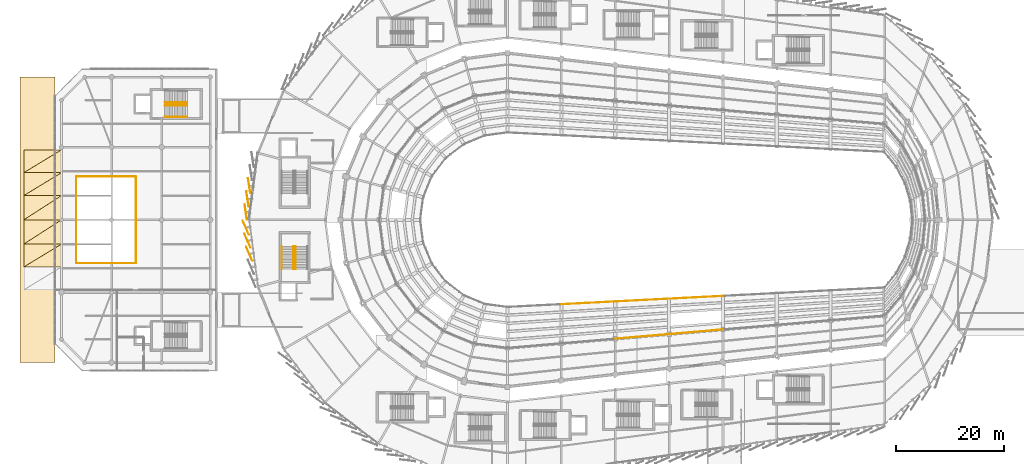
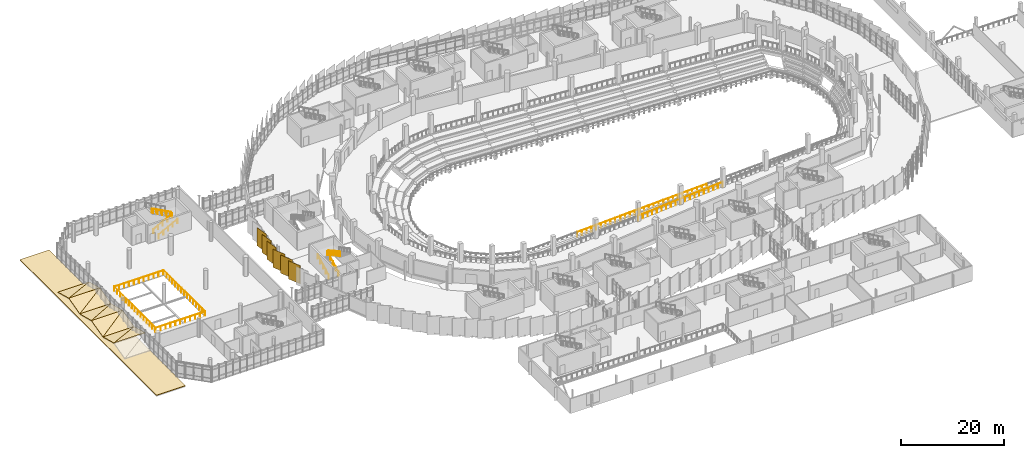
# One storey, part 126 of 134: 17 coverings, 17 railings.
"""IFC4 building model written with IfcOpenShell, lengths in metres."""

from ifc_helpers import new_model, si_unit, direction, frame, origin, origin_2d, place, context, subcontext, project, spatial, polyline, rectangle, circle, outline, extrude, material, layer, layer_set, type_object, element, save


model = new_model("IFC4")

# Units and contexts
model_context = context("Model", 3, precision=1e-05, world=origin(), true_north=direction((0.0, 1.0)))
body_context = subcontext(model_context, "Body", "Model", "MODEL_VIEW")
ifc_project = project(units=[si_unit("LENGTHUNIT", "METRE"), si_unit("AREAUNIT", "SQUARE_METRE"), si_unit("VOLUMEUNIT", "CUBIC_METRE"), si_unit("PLANEANGLEUNIT", "RADIAN"), si_unit("MASSUNIT", "GRAM", prefix="KILO")], contexts=[model_context])

# Site, building, storey
site_placement = place(None, origin())
site = spatial("IfcSite", under=ifc_project, at=site_placement, CompositionType="ELEMENT")
building_placement = place(site_placement, origin())
building = spatial("IfcBuilding", under=site, at=building_placement, Name="Sohan Crest Arena", CompositionType="ELEMENT")
storey_placement = place(building_placement, frame((0.0, 0.0, 4.5)))
storey = spatial("IfcBuildingStorey", under=building, at=storey_placement, Name="L01", CompositionType="ELEMENT", Elevation=4.5)

# Railings
ifc_material_1 = material(Name="Powder-coated wrought steel balustrade", Category="steel")
railing_type_1 = type_object("IfcRailingType", Name="ARC-GRD-01", PredefinedType="GUARDRAIL", material=ifc_material_1)
railing_1_placement = place(storey_placement, frame((58.5, 73.030029296875, 2.25)))
element("IfcRailing", 1, at=railing_1_placement, inside=storey, type_object=railing_type_1, Name="Stair well slot guard GRD-003", PredefinedType="GUARDRAIL", context=body_context, shape_type="SweptSolid", body=[
    extrude(circle(Radius=0.02392578125, at=origin_2d()), frame((0.0, 0.0, 1.076171875), z_axis=(0.0, -0.87313487534, 0.487478706678), x_axis=(1.0, 0.0, 0.0)), (0.0, 0.0, 1.0), 4.615478515625),
    extrude(circle(Radius=0.02099609375, at=origin_2d()), origin(), (0.0, 0.0, 1.0), 1.052001953125),
    extrude(circle(Radius=0.02099609375, at=origin_2d()), frame((0.0, -1.007568359375, 0.5625)), (0.0, 0.0, 1.0), 1.052001953125),
    extrude(circle(Radius=0.02099609375, at=origin_2d()), frame((0.0, -2.01513671875, 1.125)), (0.0, 0.0, 1.0), 1.052001953125),
    extrude(circle(Radius=0.02099609375, at=origin_2d()), frame((0.0, -3.0224609375, 1.6875)), (0.0, 0.0, 1.0), 1.052001953125),
    extrude(circle(Radius=0.02099609375, at=origin_2d()), frame((0.0, -4.030029296875, 2.25)), (0.0, 0.0, 1.0), 1.052001953125),
])
railing_2_placement = place(storey_placement, frame((38.530029296875, 99.5, 2.25)))
element("IfcRailing", 2, at=railing_2_placement, inside=storey, type_object=railing_type_1, Name="Stair well slot guard GRD-076", PredefinedType="GUARDRAIL", context=body_context, shape_type="SweptSolid", body=[
    extrude(circle(Radius=0.02392578125, at=origin_2d()), frame((0.0, 0.0, 1.076171875), z_axis=(-0.87313487534, 0.0, 0.487478706678), x_axis=(0.0, -1.0, 0.0)), (0.0, 0.0, 1.0), 4.615478515625),
    extrude(circle(Radius=0.02099609375, at=origin_2d()), origin(), (0.0, 0.0, 1.0), 1.052001953125),
    extrude(circle(Radius=0.02099609375, at=origin_2d()), frame((-1.007568359375, 0.0, 0.5625)), (0.0, 0.0, 1.0), 1.052001953125),
    extrude(circle(Radius=0.02099609375, at=origin_2d()), frame((-2.01513671875, 0.0, 1.125)), (0.0, 0.0, 1.0), 1.052001953125),
    extrude(circle(Radius=0.02099609375, at=origin_2d()), frame((-3.0224609375, 0.0, 1.6875)), (0.0, 0.0, 1.0), 1.052001953125),
    extrude(circle(Radius=0.02099609375, at=origin_2d()), frame((-4.030029296875, 0.0, 2.25)), (0.0, 0.0, 1.0), 1.052001953125),
])
railing_3_placement = place(storey_placement, frame((17.989990234375, 69.949951171875, 0.0)))
element("IfcRailing", 3, at=railing_3_placement, inside=storey, type_object=railing_type_1, Name="Foyer atrium balustrade GRD-286", PredefinedType="GUARDRAIL", context=body_context, shape_type="SweptSolid", body=[
    extrude(circle(Radius=0.02392578125, at=origin_2d()), frame((0.0, 0.0, 1.076171875), z_axis=(1.0, 0.0, 0.0), x_axis=(0.0, 1.0, 0.0)), (0.0, 0.0, 1.0), 11.02001953125),
    extrude(circle(Radius=0.02099609375, at=origin_2d()), origin(), (0.0, 0.0, 1.0), 1.052001953125),
    extrude(circle(Radius=0.02099609375, at=origin_2d()), frame((1.10205078125, 0.0, 0.0)), (0.0, 0.0, 1.0), 1.052001953125),
    extrude(circle(Radius=0.02099609375, at=origin_2d()), frame((2.2041015625, 0.0, 0.0)), (0.0, 0.0, 1.0), 1.052001953125),
    extrude(circle(Radius=0.02099609375, at=origin_2d()), frame((3.305908203125, 0.0, 0.0)), (0.0, 0.0, 1.0), 1.052001953125),
    extrude(circle(Radius=0.02099609375, at=origin_2d()), frame((4.407958984375, 0.0, 0.0)), (0.0, 0.0, 1.0), 1.052001953125),
    extrude(circle(Radius=0.02099609375, at=origin_2d()), frame((5.510009765625, 0.0, 0.0)), (0.0, 0.0, 1.0), 1.052001953125),
    extrude(circle(Radius=0.02099609375, at=origin_2d()), frame((6.612060546875, 0.0, 0.0)), (0.0, 0.0, 1.0), 1.052001953125),
    extrude(circle(Radius=0.02099609375, at=origin_2d()), frame((7.714111328125, 0.0, 0.0)), (0.0, 0.0, 1.0), 1.052001953125),
    extrude(circle(Radius=0.02099609375, at=origin_2d()), frame((8.81591796875, 0.0, 0.0)), (0.0, 0.0, 1.0), 1.052001953125),
    extrude(circle(Radius=0.02099609375, at=origin_2d()), frame((9.91796875, 0.0, 0.0)), (0.0, 0.0, 1.0), 1.052001953125),
    extrude(circle(Radius=0.02099609375, at=origin_2d()), frame((11.02001953125, 0.0, 0.0)), (0.0, 0.0, 1.0), 1.052001953125),
])
railing_4_placement = place(storey_placement, frame((29.050048828125, 69.989990234375, 0.0)))
element("IfcRailing", 4, at=railing_4_placement, inside=storey, type_object=railing_type_1, Name="Foyer atrium balustrade GRD-287", PredefinedType="GUARDRAIL", context=body_context, shape_type="SweptSolid", body=[
    extrude(circle(Radius=0.02392578125, at=origin_2d()), frame((0.0, 0.0, 1.076171875), z_axis=(0.0, 1.0, 0.0), x_axis=(-1.0, 0.0, 0.0)), (0.0, 0.0, 1.0), 16.02001953125),
    extrude(circle(Radius=0.02099609375, at=origin_2d()), origin(), (0.0, 0.0, 1.0), 1.052001953125),
    extrude(circle(Radius=0.02099609375, at=origin_2d()), frame((0.0, 1.144287109375, 0.0)), (0.0, 0.0, 1.0), 1.052001953125),
    extrude(circle(Radius=0.02099609375, at=origin_2d()), frame((0.0, 2.28857421875, 0.0)), (0.0, 0.0, 1.0), 1.052001953125),
    extrude(circle(Radius=0.02099609375, at=origin_2d()), frame((0.0, 3.432861328125, 0.0)), (0.0, 0.0, 1.0), 1.052001953125),
    extrude(circle(Radius=0.02099609375, at=origin_2d()), frame((0.0, 4.5771484375, 0.0)), (0.0, 0.0, 1.0), 1.052001953125),
    extrude(circle(Radius=0.02099609375, at=origin_2d()), frame((0.0, 5.721435546875, 0.0)), (0.0, 0.0, 1.0), 1.052001953125),
    extrude(circle(Radius=0.02099609375, at=origin_2d()), frame((0.0, 6.86572265625, 0.0)), (0.0, 0.0, 1.0), 1.052001953125),
    extrude(circle(Radius=0.02099609375, at=origin_2d()), frame((0.0, 8.010009765625, 0.0)), (0.0, 0.0, 1.0), 1.052001953125),
    extrude(circle(Radius=0.02099609375, at=origin_2d()), frame((0.0, 9.154296875, 0.0)), (0.0, 0.0, 1.0), 1.052001953125),
    extrude(circle(Radius=0.02099609375, at=origin_2d()), frame((0.0, 10.298583984375, 0.0)), (0.0, 0.0, 1.0), 1.052001953125),
    extrude(circle(Radius=0.02099609375, at=origin_2d()), frame((0.0, 11.44287109375, 0.0)), (0.0, 0.0, 1.0), 1.052001953125),
    extrude(circle(Radius=0.02099609375, at=origin_2d()), frame((0.0, 12.587158203125, 0.0)), (0.0, 0.0, 1.0), 1.052001953125),
    extrude(circle(Radius=0.02099609375, at=origin_2d()), frame((0.0, 13.7314453125, 0.0)), (0.0, 0.0, 1.0), 1.052001953125),
    extrude(circle(Radius=0.02099609375, at=origin_2d()), frame((0.0, 14.875732421875, 0.0)), (0.0, 0.0, 1.0), 1.052001953125),
    extrude(circle(Radius=0.02099609375, at=origin_2d()), frame((0.0, 16.02001953125, 0.0)), (0.0, 0.0, 1.0), 1.052001953125),
])
railing_5_placement = place(storey_placement, frame((29.010009765625, 86.050048828125, 0.0)))
element("IfcRailing", 5, at=railing_5_placement, inside=storey, type_object=railing_type_1, Name="Foyer atrium balustrade GRD-288", PredefinedType="GUARDRAIL", context=body_context, shape_type="SweptSolid", body=[
    extrude(circle(Radius=0.02392578125, at=origin_2d()), frame((0.0, 0.0, 1.076171875), z_axis=(-1.0, 0.0, 0.0), x_axis=(0.0, -1.0, 0.0)), (0.0, 0.0, 1.0), 11.02001953125),
    extrude(circle(Radius=0.02099609375, at=origin_2d()), origin(), (0.0, 0.0, 1.0), 1.052001953125),
    extrude(circle(Radius=0.02099609375, at=origin_2d()), frame((-1.10205078125, 0.0, 0.0)), (0.0, 0.0, 1.0), 1.052001953125),
    extrude(circle(Radius=0.02099609375, at=origin_2d()), frame((-2.2041015625, 0.0, 0.0)), (0.0, 0.0, 1.0), 1.052001953125),
    extrude(circle(Radius=0.02099609375, at=origin_2d()), frame((-3.305908203125, 0.0, 0.0)), (0.0, 0.0, 1.0), 1.052001953125),
    extrude(circle(Radius=0.02099609375, at=origin_2d()), frame((-4.407958984375, 0.0, 0.0)), (0.0, 0.0, 1.0), 1.052001953125),
    extrude(circle(Radius=0.02099609375, at=origin_2d()), frame((-5.510009765625, 0.0, 0.0)), (0.0, 0.0, 1.0), 1.052001953125),
    extrude(circle(Radius=0.02099609375, at=origin_2d()), frame((-6.612060546875, 0.0, 0.0)), (0.0, 0.0, 1.0), 1.052001953125),
    extrude(circle(Radius=0.02099609375, at=origin_2d()), frame((-7.714111328125, 0.0, 0.0)), (0.0, 0.0, 1.0), 1.052001953125),
    extrude(circle(Radius=0.02099609375, at=origin_2d()), frame((-8.81591796875, 0.0, 0.0)), (0.0, 0.0, 1.0), 1.052001953125),
    extrude(circle(Radius=0.02099609375, at=origin_2d()), frame((-9.91796875, 0.0, 0.0)), (0.0, 0.0, 1.0), 1.052001953125),
    extrude(circle(Radius=0.02099609375, at=origin_2d()), frame((-11.02001953125, 0.0, 0.0)), (0.0, 0.0, 1.0), 1.052001953125),
])
railing_6_placement = place(storey_placement, frame((17.949951171875, 86.010009765625, 0.0)))
element("IfcRailing", 6, at=railing_6_placement, inside=storey, type_object=railing_type_1, Name="Foyer atrium balustrade GRD-289", PredefinedType="GUARDRAIL", context=body_context, shape_type="SweptSolid", body=[
    extrude(circle(Radius=0.02392578125, at=origin_2d()), frame((0.0, 0.0, 1.076171875), z_axis=(0.0, -1.0, 0.0), x_axis=(1.0, 0.0, 0.0)), (0.0, 0.0, 1.0), 16.02001953125),
    extrude(circle(Radius=0.02099609375, at=origin_2d()), origin(), (0.0, 0.0, 1.0), 1.052001953125),
    extrude(circle(Radius=0.02099609375, at=origin_2d()), frame((0.0, -1.144287109375, 0.0)), (0.0, 0.0, 1.0), 1.052001953125),
    extrude(circle(Radius=0.02099609375, at=origin_2d()), frame((0.0, -2.28857421875, 0.0)), (0.0, 0.0, 1.0), 1.052001953125),
    extrude(circle(Radius=0.02099609375, at=origin_2d()), frame((0.0, -3.432861328125, 0.0)), (0.0, 0.0, 1.0), 1.052001953125),
    extrude(circle(Radius=0.02099609375, at=origin_2d()), frame((0.0, -4.5771484375, 0.0)), (0.0, 0.0, 1.0), 1.052001953125),
    extrude(circle(Radius=0.02099609375, at=origin_2d()), frame((0.0, -5.721435546875, 0.0)), (0.0, 0.0, 1.0), 1.052001953125),
    extrude(circle(Radius=0.02099609375, at=origin_2d()), frame((0.0, -6.86572265625, 0.0)), (0.0, 0.0, 1.0), 1.052001953125),
    extrude(circle(Radius=0.02099609375, at=origin_2d()), frame((0.0, -8.010009765625, 0.0)), (0.0, 0.0, 1.0), 1.052001953125),
    extrude(circle(Radius=0.02099609375, at=origin_2d()), frame((0.0, -9.154296875, 0.0)), (0.0, 0.0, 1.0), 1.052001953125),
    extrude(circle(Radius=0.02099609375, at=origin_2d()), frame((0.0, -10.298583984375, 0.0)), (0.0, 0.0, 1.0), 1.052001953125),
    extrude(circle(Radius=0.02099609375, at=origin_2d()), frame((0.0, -11.44287109375, 0.0)), (0.0, 0.0, 1.0), 1.052001953125),
    extrude(circle(Radius=0.02099609375, at=origin_2d()), frame((0.0, -12.587158203125, 0.0)), (0.0, 0.0, 1.0), 1.052001953125),
    extrude(circle(Radius=0.02099609375, at=origin_2d()), frame((0.0, -13.7314453125, 0.0)), (0.0, 0.0, 1.0), 1.052001953125),
    extrude(circle(Radius=0.02099609375, at=origin_2d()), frame((0.0, -14.875732421875, 0.0)), (0.0, 0.0, 1.0), 1.052001953125),
    extrude(circle(Radius=0.02099609375, at=origin_2d()), frame((0.0, -16.02001953125, 0.0)), (0.0, 0.0, 1.0), 1.052001953125),
])
ifc_material_2 = material(Name="Laminated glass and steel sightline guard", Category="steel")
railing_type_2 = type_object("IfcRailingType", Name="ARC-GRD-02", PredefinedType="GUARDRAIL", material=ifc_material_2)
railing_7_placement = place(storey_placement, frame((108.0400390625, 62.31591796875, -4.25)))
element("IfcRailing", 7, at=railing_7_placement, inside=storey, type_object=railing_type_2, Name="Courtside bowl crowd barrier GRD-136", PredefinedType="GUARDRAIL", context=body_context, shape_type="SweptSolid", body=[
    extrude(circle(Radius=0.02392578125, at=origin_2d()), frame((0.0, 0.0, 1.1259765625), z_axis=(0.998675936407, 0.051442920233, 0.0), x_axis=(-0.051442920233, 0.998675936407, 0.0)), (0.0, 0.0, 1.0), 9.93310546875),
    extrude(circle(Radius=0.02099609375, at=origin_2d()), origin(), (0.0, 0.0, 1.0), 1.101806640625),
    extrude(circle(Radius=0.02099609375, at=origin_2d()), frame((1.102294921875, 0.056884765625, 0.0)), (0.0, 0.0, 1.0), 1.101806640625),
    extrude(circle(Radius=0.02099609375, at=origin_2d()), frame((2.204345703125, 0.113525390625, 0.0)), (0.0, 0.0, 1.0), 1.101806640625),
    extrude(circle(Radius=0.02099609375, at=origin_2d()), frame((3.306640625, 0.17041015625, 0.0)), (0.0, 0.0, 1.0), 1.101806640625),
    extrude(circle(Radius=0.02099609375, at=origin_2d()), frame((4.408935546875, 0.22705078125, 0.0)), (0.0, 0.0, 1.0), 1.101806640625),
    extrude(circle(Radius=0.02099609375, at=origin_2d()), frame((5.510986328125, 0.283935546875, 0.0)), (0.0, 0.0, 1.0), 1.101806640625),
    extrude(circle(Radius=0.02099609375, at=origin_2d()), frame((6.61328125, 0.340576171875, 0.0)), (0.0, 0.0, 1.0), 1.101806640625),
    extrude(circle(Radius=0.02099609375, at=origin_2d()), frame((7.715576171875, 0.3974609375, 0.0)), (0.0, 0.0, 1.0), 1.101806640625),
    extrude(circle(Radius=0.02099609375, at=origin_2d()), frame((8.817626953125, 0.4541015625, 0.0)), (0.0, 0.0, 1.0), 1.101806640625),
    extrude(circle(Radius=0.02099609375, at=origin_2d()), frame((9.919921875, 0.510986328125, 0.0)), (0.0, 0.0, 1.0), 1.101806640625),
])
for number, where, name in (
    (8, (118.0400390625, 62.8310546875, -4.25), "Courtside bowl crowd barrier GRD-137"),
    (9, (128.0400390625, 63.344970703125, -4.25), "Courtside bowl crowd barrier GRD-138"),
):
    element("IfcRailing", number, at=place(storey_placement, frame(where)), inside=storey, type_object=railing_type_2, Name=name, PredefinedType="GUARDRAIL", context=body_context, shape_type="SweptSolid", body=[
        extrude(circle(Radius=0.02392578125, at=origin_2d()), frame((0.0, 0.0, 1.1259765625), z_axis=(0.998680982493, 0.051344865437, 0.0), x_axis=(-0.051344865437, 0.998680982493, 0.0)), (0.0, 0.0, 1.0), 9.93310546875),
        extrude(circle(Radius=0.02099609375, at=origin_2d()), origin(), (0.0, 0.0, 1.0), 1.101806640625),
        extrude(circle(Radius=0.02099609375, at=origin_2d()), frame((1.102294921875, 0.056640625, 0.0)), (0.0, 0.0, 1.0), 1.101806640625),
        extrude(circle(Radius=0.02099609375, at=origin_2d()), frame((2.204345703125, 0.11328125, 0.0)), (0.0, 0.0, 1.0), 1.101806640625),
        extrude(circle(Radius=0.02099609375, at=origin_2d()), frame((3.306640625, 0.169921875, 0.0)), (0.0, 0.0, 1.0), 1.101806640625),
        extrude(circle(Radius=0.02099609375, at=origin_2d()), frame((4.408935546875, 0.2265625, 0.0)), (0.0, 0.0, 1.0), 1.101806640625),
        extrude(circle(Radius=0.02099609375, at=origin_2d()), frame((5.510986328125, 0.283447265625, 0.0)), (0.0, 0.0, 1.0), 1.101806640625),
        extrude(circle(Radius=0.02099609375, at=origin_2d()), frame((6.61328125, 0.340087890625, 0.0)), (0.0, 0.0, 1.0), 1.101806640625),
        extrude(circle(Radius=0.02099609375, at=origin_2d()), frame((7.715576171875, 0.396728515625, 0.0)), (0.0, 0.0, 1.0), 1.101806640625),
        extrude(circle(Radius=0.02099609375, at=origin_2d()), frame((8.817626953125, 0.453369140625, 0.0)), (0.0, 0.0, 1.0), 1.101806640625),
        extrude(circle(Radius=0.02099609375, at=origin_2d()), frame((9.919921875, 0.510009765625, 0.0)), (0.0, 0.0, 1.0), 1.101806640625),
    ])
railing_8_placement = place(storey_placement, frame((118.0400390625, 55.9169921875, 0.0)))
element("IfcRailing", 10, at=railing_8_placement, inside=storey, type_object=railing_type_2, Name="Bowl gallery edge guard GRD-198", PredefinedType="GUARDRAIL", context=body_context, shape_type="SweptSolid", body=[
    extrude(circle(Radius=0.02392578125, at=origin_2d()), frame((0.0, 0.0, 1.1259765625), z_axis=(0.996339849936, 0.085480427173, 0.0), x_axis=(-0.085480427173, 0.996339849936, 0.0)), (0.0, 0.0, 1.0), 9.956298828125),
    extrude(circle(Radius=0.02099609375, at=origin_2d()), origin(), (0.0, 0.0, 1.0), 1.101806640625),
    extrude(circle(Radius=0.02099609375, at=origin_2d()), frame((1.102294921875, 0.094482421875, 0.0)), (0.0, 0.0, 1.0), 1.101806640625),
    extrude(circle(Radius=0.02099609375, at=origin_2d()), frame((2.204345703125, 0.189208984375, 0.0)), (0.0, 0.0, 1.0), 1.101806640625),
    extrude(circle(Radius=0.02099609375, at=origin_2d()), frame((3.306640625, 0.28369140625, 0.0)), (0.0, 0.0, 1.0), 1.101806640625),
    extrude(circle(Radius=0.02099609375, at=origin_2d()), frame((4.408935546875, 0.378173828125, 0.0)), (0.0, 0.0, 1.0), 1.101806640625),
    extrude(circle(Radius=0.02099609375, at=origin_2d()), frame((5.510986328125, 0.472900390625, 0.0)), (0.0, 0.0, 1.0), 1.101806640625),
    extrude(circle(Radius=0.02099609375, at=origin_2d()), frame((6.61328125, 0.5673828125, 0.0)), (0.0, 0.0, 1.0), 1.101806640625),
    extrude(circle(Radius=0.02099609375, at=origin_2d()), frame((7.715576171875, 0.661865234375, 0.0)), (0.0, 0.0, 1.0), 1.101806640625),
    extrude(circle(Radius=0.02099609375, at=origin_2d()), frame((8.817626953125, 0.756591796875, 0.0)), (0.0, 0.0, 1.0), 1.101806640625),
    extrude(circle(Radius=0.02099609375, at=origin_2d()), frame((9.919921875, 0.85107421875, 0.0)), (0.0, 0.0, 1.0), 1.101806640625),
])
railing_9_placement = place(storey_placement, frame((128.0400390625, 56.77392578125, 0.0)))
element("IfcRailing", 11, at=railing_9_placement, inside=storey, type_object=railing_type_2, Name="Bowl gallery edge guard GRD-199", PredefinedType="GUARDRAIL", context=body_context, shape_type="SweptSolid", body=[
    extrude(circle(Radius=0.02392578125, at=origin_2d()), frame((0.0, 0.0, 1.1259765625), z_axis=(0.996331491652, 0.085577793509, 0.0), x_axis=(-0.085577793509, 0.996331491652, 0.0)), (0.0, 0.0, 1.0), 9.95654296875),
    extrude(circle(Radius=0.02099609375, at=origin_2d()), origin(), (0.0, 0.0, 1.0), 1.101806640625),
    extrude(circle(Radius=0.02099609375, at=origin_2d()), frame((1.102294921875, 0.0947265625, 0.0)), (0.0, 0.0, 1.0), 1.101806640625),
    extrude(circle(Radius=0.02099609375, at=origin_2d()), frame((2.204345703125, 0.189453125, 0.0)), (0.0, 0.0, 1.0), 1.101806640625),
    extrude(circle(Radius=0.02099609375, at=origin_2d()), frame((3.306640625, 0.283935546875, 0.0)), (0.0, 0.0, 1.0), 1.101806640625),
    extrude(circle(Radius=0.02099609375, at=origin_2d()), frame((4.408935546875, 0.378662109375, 0.0)), (0.0, 0.0, 1.0), 1.101806640625),
    extrude(circle(Radius=0.02099609375, at=origin_2d()), frame((5.510986328125, 0.473388671875, 0.0)), (0.0, 0.0, 1.0), 1.101806640625),
    extrude(circle(Radius=0.02099609375, at=origin_2d()), frame((6.61328125, 0.568115234375, 0.0)), (0.0, 0.0, 1.0), 1.101806640625),
    extrude(circle(Radius=0.02099609375, at=origin_2d()), frame((7.715576171875, 0.66259765625, 0.0)), (0.0, 0.0, 1.0), 1.101806640625),
    extrude(circle(Radius=0.02099609375, at=origin_2d()), frame((8.817626953125, 0.75732421875, 0.0)), (0.0, 0.0, 1.0), 1.101806640625),
    extrude(circle(Radius=0.02099609375, at=origin_2d()), frame((9.919921875, 0.85205078125, 0.0)), (0.0, 0.0, 1.0), 1.101806640625),
])
ifc_material_3 = material(Name="Brushed stainless steel stair handrail", Category="steel")
railing_type_3 = type_object("IfcRailingType", Name="ARC-HR-01", PredefinedType="HANDRAIL", material=ifc_material_3)
for number, where, name in (
    (12, (56.110107421875, 68.85009765625, 0.0), "Stair pitch handrail HR-009"),
    (13, (58.2900390625, 68.85009765625, 0.0), "Stair pitch handrail HR-010"),
):
    element("IfcRailing", number, at=place(storey_placement, frame(where)), inside=storey, type_object=railing_type_3, Name=name, PredefinedType="HANDRAIL", context=body_context, shape_type="SweptSolid", body=[
        extrude(circle(Radius=0.02392578125, at=origin_2d()), frame((0.0, 0.0, 0.97607421875), z_axis=(0.0, 0.881477684796, 0.472225678258), x_axis=(-1.0, 0.0, 0.0)), (0.0, 0.0, 1.0), 4.7646484375),
        extrude(circle(Radius=0.02099609375, at=origin_2d()), origin(), (0.0, 0.0, 1.0), 0.951904296875),
        extrude(circle(Radius=0.02099609375, at=origin_2d()), frame((0.0, 1.050048828125, 0.5625)), (0.0, 0.0, 1.0), 0.951904296875),
        extrude(circle(Radius=0.02099609375, at=origin_2d()), frame((0.0, 2.10009765625, 1.125)), (0.0, 0.0, 1.0), 0.951904296875),
        extrude(circle(Radius=0.02099609375, at=origin_2d()), frame((0.0, 3.14990234375, 1.6875)), (0.0, 0.0, 1.0), 0.951904296875),
        extrude(circle(Radius=0.02099609375, at=origin_2d()), frame((0.0, 4.199951171875, 2.25)), (0.0, 0.0, 1.0), 0.951904296875),
    ])
railing_10_placement = place(storey_placement, frame((58.7099609375, 73.050048828125, 2.25)))
element("IfcRailing", 14, at=railing_10_placement, inside=storey, type_object=railing_type_3, Name="Stair pitch handrail HR-011", PredefinedType="HANDRAIL", context=body_context, shape_type="SweptSolid", body=[
    extrude(circle(Radius=0.02392578125, at=origin_2d()), frame((0.0, 0.0, 0.97607421875), z_axis=(0.0, -0.881477684796, 0.472225678258), x_axis=(1.0, 0.0, 0.0)), (0.0, 0.0, 1.0), 4.7646484375),
    extrude(circle(Radius=0.02099609375, at=origin_2d()), origin(), (0.0, 0.0, 1.0), 0.951904296875),
    extrude(circle(Radius=0.02099609375, at=origin_2d()), frame((0.0, -1.050048828125, 0.5625)), (0.0, 0.0, 1.0), 0.951904296875),
    extrude(circle(Radius=0.02099609375, at=origin_2d()), frame((0.0, -2.10009765625, 1.125)), (0.0, 0.0, 1.0), 0.951904296875),
    extrude(circle(Radius=0.02099609375, at=origin_2d()), frame((0.0, -3.14990234375, 1.6875)), (0.0, 0.0, 1.0), 0.951904296875),
    extrude(circle(Radius=0.02099609375, at=origin_2d()), frame((0.0, -4.199951171875, 2.25)), (0.0, 0.0, 1.0), 0.951904296875),
])
for number, where, name in (
    (15, (34.35009765625, 97.110107421875, 0.0), "Stair pitch handrail HR-249"),
    (16, (34.35009765625, 99.18994140625, 0.0), "Stair pitch handrail HR-250"),
):
    element("IfcRailing", number, at=place(storey_placement, frame(where)), inside=storey, type_object=railing_type_3, Name=name, PredefinedType="HANDRAIL", context=body_context, shape_type="SweptSolid", body=[
        extrude(circle(Radius=0.02392578125, at=origin_2d()), frame((0.0, 0.0, 0.97607421875), z_axis=(0.881477684796, 0.0, 0.472225678258), x_axis=(0.0, 1.0, 0.0)), (0.0, 0.0, 1.0), 4.7646484375),
        extrude(circle(Radius=0.02099609375, at=origin_2d()), origin(), (0.0, 0.0, 1.0), 0.951904296875),
        extrude(circle(Radius=0.02099609375, at=origin_2d()), frame((1.050048828125, 0.0, 0.5625)), (0.0, 0.0, 1.0), 0.951904296875),
        extrude(circle(Radius=0.02099609375, at=origin_2d()), frame((2.10009765625, 0.0, 1.125)), (0.0, 0.0, 1.0), 0.951904296875),
        extrude(circle(Radius=0.02099609375, at=origin_2d()), frame((3.14990234375, 0.0, 1.6875)), (0.0, 0.0, 1.0), 0.951904296875),
        extrude(circle(Radius=0.02099609375, at=origin_2d()), frame((4.199951171875, 0.0, 2.25)), (0.0, 0.0, 1.0), 0.951904296875),
    ])
railing_11_placement = place(storey_placement, frame((38.550048828125, 99.81005859375, 2.25)))
element("IfcRailing", 17, at=railing_11_placement, inside=storey, type_object=railing_type_3, Name="Stair pitch handrail HR-251", PredefinedType="HANDRAIL", context=body_context, shape_type="SweptSolid", body=[
    extrude(circle(Radius=0.02392578125, at=origin_2d()), frame((0.0, 0.0, 0.97607421875), z_axis=(-0.881477684796, 0.0, 0.472225678258), x_axis=(0.0, -1.0, 0.0)), (0.0, 0.0, 1.0), 4.7646484375),
    extrude(circle(Radius=0.02099609375, at=origin_2d()), origin(), (0.0, 0.0, 1.0), 0.951904296875),
    extrude(circle(Radius=0.02099609375, at=origin_2d()), frame((-1.050048828125, 0.0, 0.5625)), (0.0, 0.0, 1.0), 0.951904296875),
    extrude(circle(Radius=0.02099609375, at=origin_2d()), frame((-2.10009765625, 0.0, 1.125)), (0.0, 0.0, 1.0), 0.951904296875),
    extrude(circle(Radius=0.02099609375, at=origin_2d()), frame((-3.14990234375, 0.0, 1.6875)), (0.0, 0.0, 1.0), 0.951904296875),
    extrude(circle(Radius=0.02099609375, at=origin_2d()), frame((-4.199951171875, 0.0, 2.25)), (0.0, 0.0, 1.0), 0.951904296875),
])

# Coverings
ifc_material_4 = material(Name="Standing-seam insulated acoustic roof liner", Category="aluminium")
ifc_layer_1 = layer(ifc_material_4, 0.114990234375, Name="Standing-seam insulated acoustic roof liner")
ifc_layer_set_1 = layer_set([ifc_layer_1], Name="Standing-seam insulated acoustic roof liner")
covering_type_1 = type_object("IfcCoveringType", Name="COV-RF2", PredefinedType="ROOFING", material=ifc_layer_set_1)
covering_1_placement = place(storey_placement, frame((0.0, 0.0, -0.14990234375)))
element("IfcCovering", 18, at=covering_1_placement, inside=storey, type_object=covering_type_1, Name="Canopy ceramic-clad roof covering", PredefinedType="ROOFING", context=body_context, shape_type="SweptSolid", body=[
    extrude(outline(polyline([(7.5, 51.5), (14.0, 51.5), (14.0, 104.5), (7.5, 104.5), (7.5, 51.5)])), origin(), (0.0, 0.0, 1.0), 0.114990234375),
])
covering_2_placement = place(storey_placement, frame((8.208984375, 69.2529296875, 1.341064453125), z_axis=(0.0, 0.259620573011, 0.965710701023), x_axis=(1.0, 0.0, 0.0)))
element("IfcCovering", 19, at=covering_2_placement, inside=storey, type_object=covering_type_1, Name="Standing-seam acoustic roof covering RF-CV-127", PredefinedType="ROOFING", context=body_context, shape_type="SweptSolid", body=[
    extrude(outline(polyline([(0.0, 0.0), (6.986083984375, 0.0), (6.986083984375, 4.391549966656217), (0.0, 0.0)])), origin(), (0.0, 0.0, -1.0), 0.114990234375),
])
covering_3_placement = place(storey_placement, frame((8.205078125, 69.256103515625, 1.341064453125), z_axis=(0.0, 0.259620573011, 0.965710701023), x_axis=(0.84661194233, 0.513961559034, -0.138172844436)))
element("IfcCovering", 20, at=covering_3_placement, inside=storey, type_object=covering_type_1, Name="Standing-seam acoustic roof covering RF-CV-128", PredefinedType="ROOFING", context=body_context, shape_type="SweptSolid", body=[
    extrude(outline(polyline([(0.0, 0.0), (8.251525279132535, 1.1102230246251565e-16), (2.3372298402103038, 3.7179386471092735), (0.0, 0.0)])), origin(), (0.0, 0.0, -1.0), 0.114990234375),
])
covering_4_placement = place(storey_placement, frame((8.208984375, 73.5029296875, 0.200927734375), z_axis=(0.0, -0.246067419306, 0.969252714805), x_axis=(1.0, 0.0, 0.0)))
element("IfcCovering", 21, at=covering_4_placement, inside=storey, type_object=covering_type_1, Name="Standing-seam acoustic roof covering RF-CV-129", PredefinedType="ROOFING", context=body_context, shape_type="SweptSolid", body=[
    extrude(outline(polyline([(0.0, 0.0), (6.986083984375, 0.0), (6.986083984375, 4.633432260007231), (0.0, 0.0)])), origin(), (0.0, 0.0, -1.0), 0.114990234375),
])
covering_5_placement = place(storey_placement, frame((8.205078125, 73.506103515625, 0.200927734375), z_axis=(0.0, -0.246067419306, 0.969252714805), x_axis=(0.833358041918, 0.535738490986, 0.136009717472)))
element("IfcCovering", 22, at=covering_5_placement, inside=storey, type_object=covering_type_1, Name="Standing-seam acoustic roof covering RF-CV-130", PredefinedType="ROOFING", context=body_context, shape_type="SweptSolid", body=[
    extrude(outline(polyline([(0.0, 0.0), (8.382759261162207, -3.885780586188048e-16), (2.5610534478237232, 3.86130803555815), (0.0, 0.0)])), origin(), (0.0, 0.0, -1.0), 0.114990234375),
])
covering_6_placement = place(storey_placement, frame((8.208984375, 78.0029296875, 1.341064453125), z_axis=(0.0, 0.246067419306, 0.969252714805), x_axis=(1.0, 0.0, 0.0)))
element("IfcCovering", 23, at=covering_6_placement, inside=storey, type_object=covering_type_1, Name="Standing-seam acoustic roof covering RF-CV-131", PredefinedType="ROOFING", context=body_context, shape_type="SweptSolid", body=[
    extrude(outline(polyline([(0.0, 0.0), (6.986083984375, 0.0), (6.986083984375, 4.633432260007231), (0.0, 0.0)])), origin(), (0.0, 0.0, -1.0), 0.114990234375),
])
covering_7_placement = place(storey_placement, frame((8.205078125, 78.006103515625, 1.341064453125), z_axis=(0.0, 0.246067419306, 0.969252714805), x_axis=(0.833358041918, 0.535738490986, -0.136009717472)))
element("IfcCovering", 24, at=covering_7_placement, inside=storey, type_object=covering_type_1, Name="Standing-seam acoustic roof covering RF-CV-132", PredefinedType="ROOFING", context=body_context, shape_type="SweptSolid", body=[
    extrude(outline(polyline([(0.0, 0.0), (8.382759261162207, -3.885780586188048e-16), (2.5610534478237232, 3.86130803555815), (0.0, 0.0)])), origin(), (0.0, 0.0, -1.0), 0.114990234375),
])
covering_8_placement = place(storey_placement, frame((8.208984375, 82.5029296875, 0.200927734375), z_axis=(0.0, -0.259620573011, 0.965710701023), x_axis=(1.0, 0.0, 0.0)))
element("IfcCovering", 25, at=covering_8_placement, inside=storey, type_object=covering_type_1, Name="Standing-seam acoustic roof covering RF-CV-133", PredefinedType="ROOFING", context=body_context, shape_type="SweptSolid", body=[
    extrude(outline(polyline([(0.0, 0.0), (6.986083984375, 0.0), (6.986083984375, 4.391549966656217), (0.0, 0.0)])), origin(), (0.0, 0.0, -1.0), 0.114990234375),
])
covering_9_placement = place(storey_placement, frame((8.205078125, 82.506103515625, 0.200927734375), z_axis=(0.0, -0.259620573011, 0.965710701023), x_axis=(0.84661194233, 0.513961559034, 0.138172844436)))
element("IfcCovering", 26, at=covering_9_placement, inside=storey, type_object=covering_type_1, Name="Standing-seam acoustic roof covering RF-CV-134", PredefinedType="ROOFING", context=body_context, shape_type="SweptSolid", body=[
    extrude(outline(polyline([(0.0, 0.0), (8.251525279132535, 1.1102230246251565e-16), (2.3372298402103038, 3.7179386471092735), (0.0, 0.0)])), origin(), (0.0, 0.0, -1.0), 0.114990234375),
])
covering_10_placement = place(storey_placement, frame((8.208984375, 86.7529296875, 1.341064453125), z_axis=(0.0, 0.259620573011, 0.965710701023), x_axis=(1.0, 0.0, 0.0)))
element("IfcCovering", 27, at=covering_10_placement, inside=storey, type_object=covering_type_1, Name="Standing-seam acoustic roof covering RF-CV-135", PredefinedType="ROOFING", context=body_context, shape_type="SweptSolid", body=[
    extrude(outline(polyline([(0.0, 0.0), (6.986083984375, 0.0), (6.986083984375, 4.391549966656217), (0.0, 0.0)])), origin(), (0.0, 0.0, -1.0), 0.114990234375),
])
covering_11_placement = place(storey_placement, frame((8.205078125, 86.756103515625, 1.341064453125), z_axis=(0.0, 0.259620573011, 0.965710701023), x_axis=(0.84661194233, 0.513961559034, -0.138172844436)))
element("IfcCovering", 28, at=covering_11_placement, inside=storey, type_object=covering_type_1, Name="Standing-seam acoustic roof covering RF-CV-136", PredefinedType="ROOFING", context=body_context, shape_type="SweptSolid", body=[
    extrude(outline(polyline([(0.0, 0.0), (8.251525279132535, 1.1102230246251565e-16), (2.3372298402103038, 3.7179386471092735), (0.0, 0.0)])), origin(), (0.0, 0.0, -1.0), 0.114990234375),
])
ifc_material_5 = material(Name="Glazed ivory trencadis ceramic cladding", Category="masonry")
ifc_layer_2 = layer(ifc_material_5, 0.06494140625, Name="Glazed ivory trencadis ceramic cladding")
ifc_layer_set_2 = layer_set([ifc_layer_2], Name="Glazed ivory trencadis ceramic cladding")
covering_type_2 = type_object("IfcCoveringType", Name="COV-SC-IV", PredefinedType="CLADDING", material=ifc_layer_set_2)
for number, where, z_axis, x_axis, name in (
    (29, (50.06494140625, 84.31103515625, -0.2001953125), (0.0, 0.0, 1.0), (0.14780941113, -0.989015863362, 0.0), "Rotated trencadis ceramic scale panel SC-0023"),
    (30, (49.743896484375, 81.8779296875, -0.2001953125), (0.0, 0.0, 1.0), (0.14780941113, -0.989015863362, 0.0), "Rotated trencadis ceramic scale panel SC-0024"),
    (31, (49.424072265625, 79.445068359375, -0.2001953125), (0.0, 0.0, 1.0), (0.14780941113, -0.989015863362, 0.0), "Rotated trencadis ceramic scale panel SC-0025"),
    (32, (49.424072265625, 76.554931640625, -0.2001953125), (0.0, 0.0, 1.0), (0.398749068925, -0.917060074385, 0.0), "Rotated trencadis ceramic scale panel SC-0026"),
    (33, (49.743896484375, 74.1220703125, -0.2001953125), (0.0, 0.0, 1.0), (0.398749068925, -0.917060074385, 0.0), "Rotated trencadis ceramic scale panel SC-0027"),
    (34, (50.06494140625, 71.68896484375, -0.2001953125), (0.0, 0.0, 1.0), (0.398749068925, -0.917060074385, 0.0), "Rotated trencadis ceramic scale panel SC-0028"),
):
    element("IfcCovering", number, at=place(storey_placement, frame(where, z_axis=z_axis, x_axis=x_axis)), inside=storey, type_object=covering_type_2, Name=name, PredefinedType="CLADDING", context=body_context, shape_type="SweptSolid", body=[
        extrude(rectangle(XDim=2.85009765625, YDim=0.06494140625, at=origin_2d()), origin(), (0.0, 0.0, 1.0), 4.300048828125),
    ])

save(model, "model.ifc")
